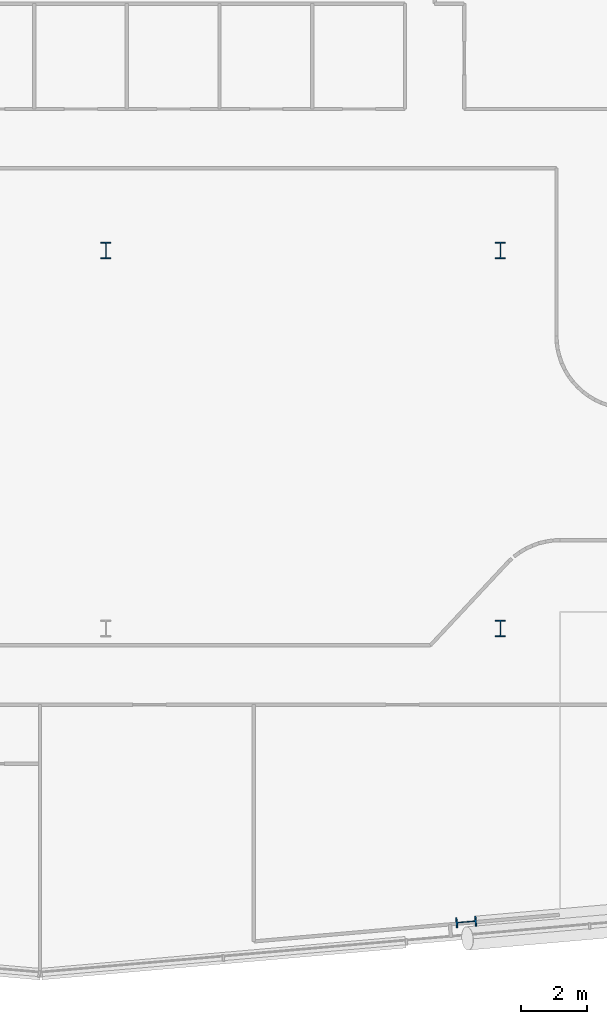
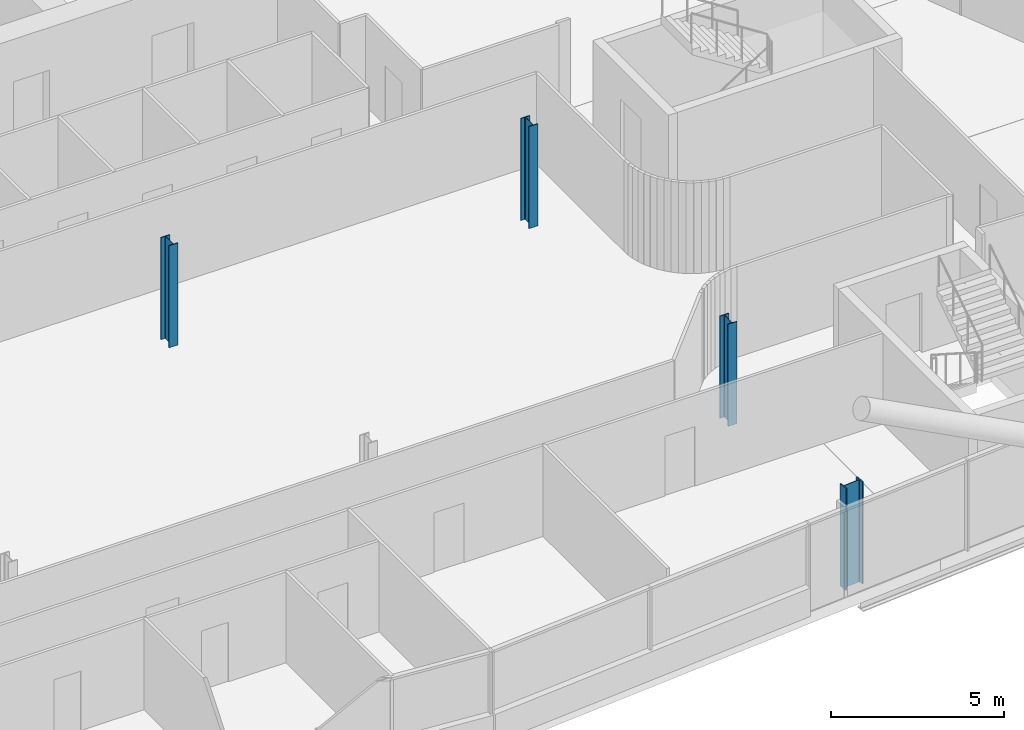
# One storey, part 2 of 27: 4 columns.
"""IFC4 building model written with IfcOpenShell, lengths in metres."""

from ifc_helpers import new_model, si_unit, direction, frame, origin, origin_2d, place, context, subcontext, project, spatial, i_section, extrude, material, material_profile, profile_set, type_object, element, save


model = new_model("IFC4")

# Units and contexts
model_context = context("Model", 3, precision=1e-05, world=origin(), true_north=direction((0.0, 1.0)))
body_context = subcontext(model_context, "Body", "Model", "MODEL_VIEW")
ifc_project = project(units=[si_unit("LENGTHUNIT", "METRE"), si_unit("AREAUNIT", "SQUARE_METRE"), si_unit("VOLUMEUNIT", "CUBIC_METRE"), si_unit("PLANEANGLEUNIT", "RADIAN"), si_unit("MASSUNIT", "GRAM", prefix="KILO")], contexts=[model_context])

# Site, building, storey
site_placement = place(None, origin())
site = spatial("IfcSite", under=ifc_project, at=site_placement, CompositionType="ELEMENT")
building_placement = place(site_placement, origin())
building = spatial("IfcBuilding", under=site, at=building_placement, Name="Wharfspan Tower", CompositionType="ELEMENT")
storey_placement = place(building_placement, frame((0.0, 0.0, 159.100098)))
storey = spatial("IfcBuildingStorey", under=building, at=storey_placement, Name="L38", CompositionType="ELEMENT", Elevation=159.100098)

# Columns
ifc_material = material(Name="Steel S355J2", Category="steel")
ifc_material_profile_1 = material_profile(ifc_material, i_section(OverallWidth=0.300049, OverallDepth=0.5, WebThickness=0.014404, FlangeThickness=0.028076, FilletRadius=0.0271, at=origin_2d()))
ifc_profile_set_1 = profile_set([ifc_material_profile_1], Name="Steel S355J2")
column_type_1 = type_object("IfcColumnType", Name="Column HEB 500", PredefinedType="COLUMN", material=ifc_profile_set_1)
for number, where, z_axis, x_axis, name in (
    (1, (60.0, 11.5, 0.0), (0.0, 0.0, 1.0), (1.0, 0.0, 0.0), "Interior column I.1.4 L38"),
    (2, (48.0, 23.0, 0.0), (0.0, 0.0, 1.0), (1.0, 0.0, 0.0), "Interior column I.2.3 L38"),
    (3, (60.0, 23.0, 0.0), (0.0, 0.0, 1.0), (1.0, 0.0, 0.0), "Interior column I.2.4 L38"),
):
    element("IfcColumn", number, at=place(storey_placement, frame(where, z_axis=z_axis, x_axis=x_axis)), inside=storey, type_object=column_type_1, Name=name, PredefinedType="COLUMN", context=body_context, shape_type="SweptSolid", body=[
        extrude(i_section(OverallWidth=0.300049, OverallDepth=0.5, WebThickness=0.014404, FlangeThickness=0.028076, FilletRadius=0.0271, at=origin_2d()), origin(), (0.0, 0.0, 1.0), 3.599854),
    ])
ifc_material_profile_2 = material_profile(ifc_material, i_section(OverallWidth=0.304932, OverallDepth=0.620117, WebThickness=0.020996, FlangeThickness=0.040039, FilletRadius=0.0271, at=origin_2d()))
ifc_profile_set_2 = profile_set([ifc_material_profile_2], Name="Steel S355J2")
column_type_2 = type_object("IfcColumnType", Name="Column HEM 600", PredefinedType="COLUMN", material=ifc_profile_set_2)
column_placement = place(storey_placement, frame((58.960693, 2.573486, 0.0), z_axis=(0.0, 0.0, 1.0), x_axis=(0.087156, -0.996198, 0.0)))
element("IfcColumn", 4, at=column_placement, inside=storey, type_object=column_type_2, Name="Perimeter column PS2.1 L38", PredefinedType="COLUMN", context=body_context, shape_type="SweptSolid", body=[
    extrude(i_section(OverallWidth=0.304932, OverallDepth=0.620117, WebThickness=0.020996, FlangeThickness=0.040039, FilletRadius=0.0271, at=origin_2d()), origin(), (0.0, 0.0, 1.0), 3.599854),
])

save(model, "model.ifc")
